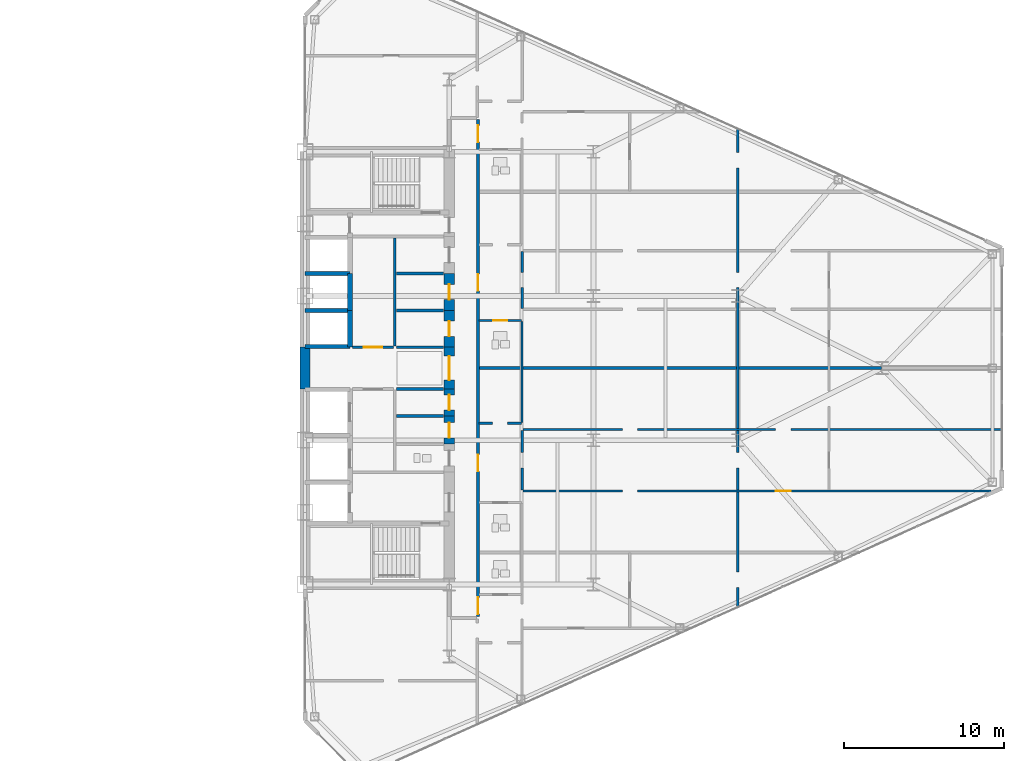
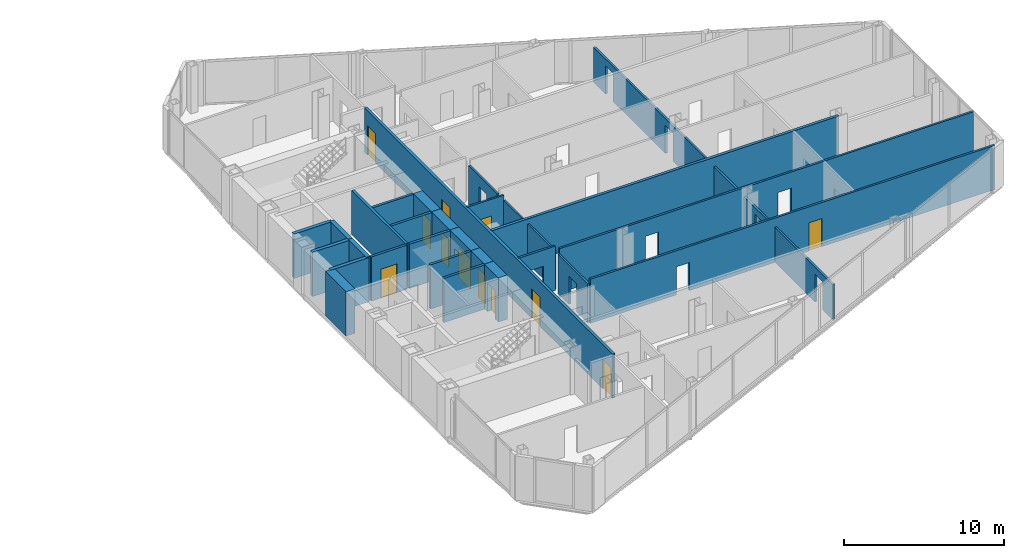
# One storey, part 23 of 27: 28 walls, 12 doors, 22 openings.
"""IFC4 building model written with IfcOpenShell, lengths in metres."""

from ifc_helpers import new_model, si_unit, direction, frame, frame_2d, origin, place, context, subcontext, project, spatial, rectangle, extrude, source, transform, mapped, material, layer, layer_set, type_object, type_shapes, element, fill, save


model = new_model("IFC4")

# Units and contexts
model_context = context("Model", 3, precision=1e-05, world=origin(), true_north=direction((0.0, 1.0)))
body_context = subcontext(model_context, "Body", "Model", "MODEL_VIEW")
ifc_project = project(units=[si_unit("LENGTHUNIT", "METRE"), si_unit("AREAUNIT", "SQUARE_METRE"), si_unit("VOLUMEUNIT", "CUBIC_METRE"), si_unit("PLANEANGLEUNIT", "RADIAN"), si_unit("MASSUNIT", "GRAM", prefix="KILO")], contexts=[model_context])

# Site, building, storey
site_placement = place(None, origin())
site = spatial("IfcSite", under=ifc_project, at=site_placement, CompositionType="ELEMENT")
building_placement = place(site_placement, origin())
building = spatial("IfcBuilding", under=site, at=building_placement, Name="Seokmaru Belvedere", CompositionType="ELEMENT")
storey_placement = place(building_placement, frame((0.0, 0.0, 80.10009765625)))
storey = spatial("IfcBuildingStorey", under=building, at=storey_placement, Name="L21", CompositionType="ELEMENT", Elevation=80.10009765625)

# Wall, openings, door
ifc_material_1 = material(Name="Fire-Rated Gypsum Shaftwall")
ifc_layer_1 = layer(ifc_material_1, 0.14990234375)
ifc_layer_set_1 = layer_set([ifc_layer_1], Name="Fire-Rated Gypsum Shaftwall")
wall_type_1 = type_object("IfcWallType", Name="Apartment Fire-Acoustic Room Partition 150", PredefinedType="PARTITIONING", material=ifc_layer_set_1)
wall_1_placement = place(storey_placement, frame((41.10009765625, -7.669921875, 0.0), z_axis=(0.0, 0.0, 1.0), x_axis=(1.0, 0.0, 0.0)))
wall_1 = element("IfcWall", 1, at=wall_1_placement, inside=storey, type_object=wall_type_1, Name="L21 Interior Partition 010", PredefinedType="PARTITIONING", context=body_context, shape_type="SweptSolid", body=[
    extrude(rectangle(XDim=29.217529296875, YDim=0.14990234375, at=frame_2d((14.60888671875, 0.0))), origin(), (0.0, 0.0, 1.0), 3.3798828125),
])
opening_1_placement = place(wall_1_placement, frame((6.199951171875, 0.0, 0.0)))
element("IfcOpeningElement", 2, at=opening_1_placement, cuts=wall_1, Name="L21 Cased Opening 040", PredefinedType="OPENING", context=body_context, shape_type="SweptSolid", body=[
    extrude(rectangle(XDim=0.949951171875, YDim=2.14990234375, at=frame_2d((0.47509765625, 1.074951171875))), frame((0.0, 0.0849609375, 0.0), z_axis=(0.0, -1.0, 0.0), x_axis=(1.0, 0.0, 0.0)), (0.0, 0.0, 1.0), 0.169921875),
])
opening_2_placement = place(wall_1_placement, frame((15.77490234375, 0.0, 0.0)))
opening_2 = element("IfcOpeningElement", 3, at=opening_2_placement, cuts=wall_1, Name="Opening D05", PredefinedType="OPENING", context=body_context, shape_type="SweptSolid", body=[
    extrude(rectangle(XDim=0.949951171875, YDim=2.14990234375, at=frame_2d((0.47509765625, 1.074951171875))), frame((0.0, 0.0849609375, 0.0), z_axis=(0.0, -1.0, 0.0), x_axis=(1.0, 0.0, 0.0)), (0.0, 0.0, 1.0), 0.169921875),
])
ifc_material_2 = material(Name="Engineered White Oak Timber", Category="wood")
door_type_1 = type_object("IfcDoorType", Name="Apartment Interior Fire-Rated Oak Door 950x2150", OperationType="NOTDEFINED", PredefinedType="DOOR", material=ifc_material_2)
shared_shape_1 = source(origin(), body_context, "Body", "SweptSolid", [
    extrude(rectangle(XDim=0.949951171875, YDim=2.14990234375, at=frame_2d((0.47509765625, 1.074951171875))), frame((0.0, 0.02490234375, 0.0), z_axis=(0.0, -1.0, 0.0), x_axis=(1.0, 0.0, 0.0)), (0.0, 0.0, 1.0), 0.050048828125),
])
type_shapes(door_type_1, [shared_shape_1])
door_1_placement = place(opening_2_placement, origin())
door_1 = element("IfcDoor", 4, at=door_1_placement, inside=storey, type_object=door_type_1, Name="L21 Interior Door 042", OperationType="SINGLE_SWING_RIGHT", OverallHeight=2.14990234375, OverallWidth=0.949951171875, PredefinedType="DOOR", context=body_context, shape_type="MappedRepresentation", body=[
    mapped(shared_shape_1, transform((0.0, 0.0, 0.0), scale=1.0)),
])
fill(opening_2, door_1)

# Wall, openings
wall_2_placement = place(storey_placement, frame((41.10009765625, -3.830078125, 0.0), z_axis=(0.0, 0.0, 1.0), x_axis=(1.0, 0.0, 0.0)))
wall_2 = element("IfcWall", 5, at=wall_2_placement, inside=storey, type_object=wall_type_1, Name="L21 Interior Partition 013", PredefinedType="PARTITIONING", context=body_context, shape_type="SweptSolid", body=[
    extrude(rectangle(XDim=29.934814453125, YDim=0.14990234375, at=frame_2d((14.96728515625, 0.0))), origin(), (0.0, 0.0, 1.0), 3.3798828125),
])
opening_3_placement = place(wall_2_placement, frame((6.199951171875, 0.0, 0.0)))
element("IfcOpeningElement", 6, at=opening_3_placement, cuts=wall_2, Name="L21 Cased Opening 041", PredefinedType="OPENING", context=body_context, shape_type="SweptSolid", body=[
    extrude(rectangle(XDim=0.949951171875, YDim=2.14990234375, at=frame_2d((0.47509765625, 1.074951171875))), frame((0.0, 0.0849609375, 0.0), z_axis=(0.0, -1.0, 0.0), x_axis=(1.0, 0.0, 0.0)), (0.0, 0.0, 1.0), 0.169921875),
])
opening_4_placement = place(wall_2_placement, frame((15.77490234375, 0.0, 0.0)))
element("IfcOpeningElement", 7, at=opening_4_placement, cuts=wall_2, Name="L21 Cased Opening 044", PredefinedType="OPENING", context=body_context, shape_type="SweptSolid", body=[
    extrude(rectangle(XDim=0.949951171875, YDim=2.14990234375, at=frame_2d((0.47509765625, 1.074951171875))), frame((0.0, 0.0849609375, 0.0), z_axis=(0.0, -1.0, 0.0), x_axis=(1.0, 0.0, 0.0)), (0.0, 0.0, 1.0), 0.169921875),
])

# Wall, opening
wall_3_placement = place(storey_placement, frame((38.35009765625, -3.449951171875, 0.0), z_axis=(0.0, 0.0, 1.0), x_axis=(1.0, 0.0, 0.0)))
wall_3 = element("IfcWall", 8, at=wall_3_placement, inside=storey, type_object=wall_type_1, Name="L21 Interior Partition 014", PredefinedType="PARTITIONING", context=body_context, shape_type="SweptSolid", body=[
    extrude(rectangle(XDim=2.64990234375, YDim=0.14990234375, at=frame_2d((1.324951171875, 0.0))), origin(), (0.0, 0.0, 1.0), 3.3798828125),
])
opening_5_placement = place(wall_3_placement, frame((0.85009765625, 0.0, 0.0)))
element("IfcOpeningElement", 9, at=opening_5_placement, cuts=wall_3, Name="L21 Cased Opening 037", PredefinedType="OPENING", context=body_context, shape_type="SweptSolid", body=[
    extrude(rectangle(XDim=0.949951171875, YDim=2.14990234375, at=frame_2d((0.47509765625, 1.074951171875))), frame((0.0, 0.0849609375, 0.0), z_axis=(0.0, -1.0, 0.0), x_axis=(1.0, 0.0, 0.0)), (0.0, 0.0, 1.0), 0.169921875),
])

wall_4_placement = place(storey_placement, frame((41.050048828125, -7.616943359375, 0.0), z_axis=(0.0, 0.0, 1.0), x_axis=(0.0, 1.0, 0.0)))
wall_4 = element("IfcWall", 10, at=wall_4_placement, inside=storey, type_object=wall_type_1, Name="L21 Interior Partition 051", PredefinedType="PARTITIONING", context=body_context, shape_type="SweptSolid", body=[
    extrude(rectangle(XDim=3.73388671875, YDim=0.14990234375, at=frame_2d((1.866943359375, 0.0))), origin(), (0.0, 0.0, 1.0), 2.989990234375),
])
opening_6_placement = place(wall_4_placement, frame((1.39208984375, 0.0, 0.0)))
element("IfcOpeningElement", 11, at=opening_6_placement, cuts=wall_4, Name="L21 Cased Opening 038", PredefinedType="OPENING", context=body_context, shape_type="SweptSolid", body=[
    extrude(rectangle(XDim=0.949951171875, YDim=2.14990234375, at=frame_2d((0.47509765625, 1.074951171875))), frame((0.0, 0.0849609375, 0.0), z_axis=(0.0, -1.0, 0.0), x_axis=(1.0, 0.0, 0.0)), (0.0, 0.0, 1.0), 0.169921875),
])

wall_5_placement = place(storey_placement, frame((41.050048828125, 3.717041015625, 0.0), z_axis=(0.0, 0.0, 1.0), x_axis=(0.0, 1.0, 0.0)))
wall_5 = element("IfcWall", 12, at=wall_5_placement, inside=storey, type_object=wall_type_1, Name="L21 Interior Partition 053", PredefinedType="PARTITIONING", context=body_context, shape_type="SweptSolid", body=[
    extrude(rectangle(XDim=3.56591796875, YDim=0.14990234375, at=frame_2d((1.782958984375, 0.0))), origin(), (0.0, 0.0, 1.0), 2.989990234375),
])
opening_7_placement = place(wall_5_placement, frame((1.30810546875, 0.0, 0.0)))
element("IfcOpeningElement", 13, at=opening_7_placement, cuts=wall_5, Name="L21 Cased Opening 049", PredefinedType="OPENING", context=body_context, shape_type="SweptSolid", body=[
    extrude(rectangle(XDim=0.949951171875, YDim=2.14990234375, at=frame_2d((0.47509765625, 1.074951171875))), frame((0.0, 0.0849609375, 0.0), z_axis=(0.0, -1.0, 0.0), x_axis=(1.0, 0.0, 0.0)), (0.0, 0.0, 1.0), 0.169921875),
])

# Wall, openings
wall_6_placement = place(storey_placement, frame((54.5, -14.9599609375, 0.0), z_axis=(0.0, 0.0, 1.0), x_axis=(0.0, 1.0, 0.0)))
wall_6 = element("IfcWall", 14, at=wall_6_placement, inside=storey, type_object=wall_type_1, Name="L21 Interior Partition 058", PredefinedType="PARTITIONING", context=body_context, shape_type="SweptSolid", body=[
    extrude(rectangle(XDim=29.919921875, YDim=0.14990234375, at=frame_2d((14.9599609375, 0.0))), origin(), (0.0, 0.0, 1.0), 2.679931640625),
])
opening_8_placement = place(wall_6_placement, frame((1.2724609375, 0.0, 0.0)))
element("IfcOpeningElement", 15, at=opening_8_placement, cuts=wall_6, Name="L21 Cased Opening 034", PredefinedType="OPENING", context=body_context, shape_type="SweptSolid", body=[
    extrude(rectangle(XDim=0.949951171875, YDim=2.14990234375, at=frame_2d((0.47509765625, 1.074951171875))), frame((0.0, 0.0849609375, 0.0), z_axis=(0.0, -1.0, 0.0), x_axis=(1.0, 0.0, 0.0)), (0.0, 0.0, 1.0), 0.169921875),
])
opening_9_placement = place(wall_6_placement, frame((8.735107421875, 0.0, 0.0)))
element("IfcOpeningElement", 16, at=opening_9_placement, cuts=wall_6, Name="L21 Cased Opening 039", PredefinedType="OPENING", context=body_context, shape_type="SweptSolid", body=[
    extrude(rectangle(XDim=0.949951171875, YDim=2.14990234375, at=frame_2d((0.47509765625, 1.074951171875))), frame((0.0, 0.0849609375, 0.0), z_axis=(0.0, -1.0, 0.0), x_axis=(1.0, 0.0, 0.0)), (0.0, 0.0, 1.0), 0.169921875),
])
opening_10_placement = place(wall_6_placement, frame((19.985107421875, 0.0, 0.0)))
element("IfcOpeningElement", 17, at=opening_10_placement, cuts=wall_6, Name="L21 Cased Opening 050", PredefinedType="OPENING", context=body_context, shape_type="SweptSolid", body=[
    extrude(rectangle(XDim=0.949951171875, YDim=2.14990234375, at=frame_2d((0.47509765625, 1.074951171875))), frame((0.0, 0.0849609375, 0.0), z_axis=(0.0, -1.0, 0.0), x_axis=(1.0, 0.0, 0.0)), (0.0, 0.0, 1.0), 0.169921875),
])
opening_11_placement = place(wall_6_placement, frame((27.447509765625, 0.0, 0.0)))
element("IfcOpeningElement", 18, at=opening_11_placement, cuts=wall_6, Name="L21 Cased Opening 065", PredefinedType="OPENING", context=body_context, shape_type="SweptSolid", body=[
    extrude(rectangle(XDim=0.949951171875, YDim=2.14990234375, at=frame_2d((0.47509765625, 1.074951171875))), frame((0.0, 0.0849609375, 0.0), z_axis=(0.0, -1.0, 0.0), x_axis=(1.0, 0.0, 0.0)), (0.0, 0.0, 1.0), 0.169921875),
])

# Wall
ifc_layer_2 = layer(ifc_material_1, 0.179931640625)
ifc_layer_set_2 = layer_set([ifc_layer_2], Name="Fire-Rated Gypsum Shaftwall")
wall_type_2 = type_object("IfcWallType", Name="Core Service Fire Partition 180", PredefinedType="PARTITIONING", material=ifc_layer_set_2)
wall_7_placement = place(storey_placement, frame((33.10009765625, 1.3798828125, 0.0), z_axis=(0.0, 0.0, 1.0), x_axis=(0.0, 1.0, 0.0)))
element("IfcWall", 19, at=wall_7_placement, inside=storey, type_object=wall_type_2, Name="L21 East North Core Service Back Wall", PredefinedType="PARTITIONING", context=body_context, shape_type="SweptSolid", body=[
    extrude(rectangle(XDim=6.740234375, YDim=0.179931640625, at=frame_2d((3.3701171875, 0.0))), origin(), (0.0, 0.0, 1.0), 3.3798828125),
])

# Wall, opening, door
wall_8_placement = place(storey_placement, frame((30.449951171875, 1.300048828125, 0.0), z_axis=(0.0, 0.0, 1.0), x_axis=(1.0, 0.0, 0.0)))
wall_8 = element("IfcWall", 20, at=wall_8_placement, inside=storey, type_object=wall_type_2, Name="L21 East North Lift Lobby Foyer Wall", PredefinedType="PARTITIONING", context=body_context, shape_type="SweptSolid", body=[
    extrude(rectangle(XDim=2.570068359375, YDim=0.179931640625, at=frame_2d((1.28515625, 0.0))), origin(), (0.0, 0.0, 1.0), 3.3798828125),
])
opening_12_placement = place(wall_8_placement, frame((0.7099609375, 0.0, 0.0)))
opening_12 = element("IfcOpeningElement", 21, at=opening_12_placement, cuts=wall_8, Name="Opening D02", PredefinedType="OPENING", context=body_context, shape_type="SweptSolid", body=[
    extrude(rectangle(XDim=1.14990234375, YDim=2.199951171875, at=frame_2d((0.574951171875, 1.10009765625))), frame((0.0, 0.10009765625, 0.0), z_axis=(0.0, -1.0, 0.0), x_axis=(1.0, 0.0, 0.0)), (0.0, 0.0, 1.0), 0.199951171875),
])
ifc_material_3 = material(Name="Fire-Rated Steel Leaf", Category="steel")
door_type_2 = type_object("IfcDoorType", Name="Lobby and Vestibule Fire Door 1150x2200", OperationType="NOTDEFINED", PredefinedType="DOOR", material=ifc_material_3)
shared_shape_2 = source(origin(), body_context, "Body", "SweptSolid", [
    extrude(rectangle(XDim=1.14990234375, YDim=2.199951171875, at=frame_2d((0.574951171875, 1.10009765625))), frame((0.0, 0.02490234375, 0.0), z_axis=(0.0, -1.0, 0.0), x_axis=(1.0, 0.0, 0.0)), (0.0, 0.0, 1.0), 0.050048828125),
])
type_shapes(door_type_2, [shared_shape_2])
door_2_placement = place(opening_12_placement, origin())
door_2 = element("IfcDoor", 22, at=door_2_placement, inside=storey, type_object=door_type_2, Name="L21 East North Lift Lobby Door", OperationType="SINGLE_SWING_LEFT", OverallHeight=2.199951171875, OverallWidth=1.14990234375, PredefinedType="DOOR", context=body_context, shape_type="MappedRepresentation", body=[
    mapped(shared_shape_2, transform((0.0, 0.0, 0.0), scale=1.0)),
])
fill(opening_12, door_2)

# Walls
for number, where, z_axis, x_axis, name in (
    (23, (33.199951171875, -1.300048828125, 0.0), (0.0, 0.0, 1.0), (1.0, 0.0, 0.0), "L21 East Foyer Side Wall S"),
    (24, (33.199951171875, 1.300048828125, 0.0), (0.0, 0.0, 1.0), (1.0, 0.0, 0.0), "L21 East Foyer Side Wall N"),
    (25, (33.199951171875, -3.0, 0.0), (0.0, 0.0, 1.0), (1.0, 0.0, 0.0), "L21 East Core Service Partition 2"),
    (26, (33.199951171875, 3.60009765625, 0.0), (0.0, 0.0, 1.0), (1.0, 0.0, 0.0), "L21 East Core Service Partition 3"),
    (27, (33.199951171875, 5.89990234375, 0.0), (0.0, 0.0, 1.0), (1.0, 0.0, 0.0), "L21 East Core Service Partition 4"),
):
    element("IfcWall", number, at=place(storey_placement, frame(where, z_axis=z_axis, x_axis=x_axis)), inside=storey, type_object=wall_type_2, Name=name, PredefinedType="PARTITIONING", context=body_context, shape_type="SweptSolid", body=[
        extrude(rectangle(XDim=2.949951171875, YDim=0.179931640625, at=frame_2d((1.47509765625, 0.0))), origin(), (0.0, 0.0, 1.0), 3.3798828125),
    ])
ifc_material_4 = material(Name="Concrete C50 (50 MPa)", Category="concrete")
ifc_layer_3 = layer(ifc_material_4, 0.25)
ifc_layer_set_3 = layer_set([ifc_layer_3], Name="Concrete C50 (50 MPa)")
wall_type_3 = type_object("IfcWallType", Name="Hoistway Transverse Concrete Divider Wall 250", PredefinedType="SHEAR", material=ifc_layer_set_3)
for number, where, z_axis, x_axis, name in (
    (28, (27.5, 1.35009765625, 0.0), (0.0, 0.0, 1.0), (1.0, 0.0, 0.0), "L21 East Hoistway Divider Core Wall 4"),
    (29, (27.5, 3.60009765625, 0.0), (0.0, 0.0, 1.0), (1.0, 0.0, 0.0), "L21 East Hoistway Divider Core Wall 5"),
    (30, (27.5, 5.89990234375, 0.0), (0.0, 0.0, 1.0), (1.0, 0.0, 0.0), "L21 East Hoistway Divider Core Wall 6"),
):
    element("IfcWall", number, at=place(storey_placement, frame(where, z_axis=z_axis, x_axis=x_axis)), inside=storey, type_object=wall_type_3, Name=name, PredefinedType="SHEAR", context=body_context, shape_type="SweptSolid", body=[
        extrude(rectangle(XDim=2.800048828125, YDim=0.25, at=frame_2d((1.39990234375, 0.0))), origin(), (0.0, 0.0, 1.0), 3.3798828125),
    ])
ifc_layer_4 = layer(ifc_material_1, 0.199951171875)
ifc_layer_set_4 = layer_set([ifc_layer_4], Name="Fire-Rated Gypsum Shaftwall")
wall_type_4 = type_object("IfcWallType", Name="Inter-Tenancy Fire Compartment Partition 200", PredefinedType="PARTITIONING", material=ifc_layer_set_4)
wall_9_placement = place(storey_placement, frame((38.3798828125, 0.0, 0.0), z_axis=(0.0, 0.0, 1.0), x_axis=(1.0, 0.0, 0.0)))
element("IfcWall", 31, at=wall_9_placement, inside=storey, type_object=wall_type_4, Name="L21 Interior Partition 016", PredefinedType="PARTITIONING", context=body_context, shape_type="SweptSolid", body=[
    extrude(rectangle(XDim=25.10009765625, YDim=0.199951171875, at=frame_2d((12.550048828125, 0.0))), origin(), (0.0, 0.0, 1.0), 3.3798828125),
])

# Wall, openings, doors
wall_10_placement = place(storey_placement, frame((38.300048828125, -15.514892578125, 0.0), z_axis=(0.0, 0.0, 1.0), x_axis=(0.0, 1.0, 0.0)))
wall_10 = element("IfcWall", 32, at=wall_10_placement, inside=storey, type_object=wall_type_4, Name="L21 Interior Partition 049", PredefinedType="PARTITIONING", context=body_context, shape_type="SweptSolid", body=[
    extrude(rectangle(XDim=31.02978515625, YDim=0.199951171875, at=frame_2d((15.514892578125, 0.0))), origin(), (0.0, 0.0, 1.0), 3.3798828125),
])
opening_13_placement = place(wall_10_placement, frame((0.159912109375, 0.0, 0.0)))
opening_13 = element("IfcOpeningElement", 33, at=opening_13_placement, cuts=wall_10, Name="Opening D03", PredefinedType="OPENING", context=body_context, shape_type="SweptSolid", body=[
    extrude(rectangle(XDim=1.050048828125, YDim=2.25, at=frame_2d((0.52490234375, 1.125))), frame((0.0, 0.10986328125, 0.0), z_axis=(0.0, -1.0, 0.0), x_axis=(1.0, 0.0, 0.0)), (0.0, 0.0, 1.0), 0.219970703125),
])
opening_14_placement = place(wall_10_placement, frame((9.0673828125, 0.0, 0.0)))
opening_14 = element("IfcOpeningElement", 34, at=opening_14_placement, cuts=wall_10, Name="Opening D03", PredefinedType="OPENING", context=body_context, shape_type="SweptSolid", body=[
    extrude(rectangle(XDim=1.050048828125, YDim=2.25, at=frame_2d((0.52490234375, 1.125))), frame((0.0, 0.10986328125, 0.0), z_axis=(0.0, -1.0, 0.0), x_axis=(1.0, 0.0, 0.0)), (0.0, 0.0, 1.0), 0.219970703125),
])
opening_15_placement = place(wall_10_placement, frame((20.324951171875, 0.0, 0.0)))
opening_15 = element("IfcOpeningElement", 35, at=opening_15_placement, cuts=wall_10, Name="Opening D03", PredefinedType="OPENING", context=body_context, shape_type="SweptSolid", body=[
    extrude(rectangle(XDim=1.050048828125, YDim=2.25, at=frame_2d((0.52490234375, 1.125))), frame((0.0, 0.10986328125, 0.0), z_axis=(0.0, -1.0, 0.0), x_axis=(1.0, 0.0, 0.0)), (0.0, 0.0, 1.0), 0.219970703125),
])
opening_16_placement = place(wall_10_placement, frame((29.612548828125, 0.0, 0.0)))
opening_16 = element("IfcOpeningElement", 36, at=opening_16_placement, cuts=wall_10, Name="Opening D03", PredefinedType="OPENING", context=body_context, shape_type="SweptSolid", body=[
    extrude(rectangle(XDim=1.050048828125, YDim=2.25, at=frame_2d((0.52490234375, 1.125))), frame((0.0, 0.10986328125, 0.0), z_axis=(0.0, -1.0, 0.0), x_axis=(1.0, 0.0, 0.0)), (0.0, 0.0, 1.0), 0.219970703125),
])
door_type_3 = type_object("IfcDoorType", Name="Apartment Entrance Fire Door 1050x2250", OperationType="NOTDEFINED", PredefinedType="DOOR", material=ifc_material_3)
shared_shape_3 = source(origin(), body_context, "Body", "SweptSolid", [
    extrude(rectangle(XDim=1.050048828125, YDim=2.25, at=frame_2d((0.52490234375, 1.125))), frame((0.0, 0.02490234375, 0.0), z_axis=(0.0, -1.0, 0.0), x_axis=(1.0, 0.0, 0.0)), (0.0, 0.0, 1.0), 0.050048828125),
])
type_shapes(door_type_3, [shared_shape_3])
door_3_placement = place(opening_13_placement, origin())
door_3 = element("IfcDoor", 37, at=door_3_placement, inside=storey, type_object=door_type_3, Name="L21 Interior Door 026", OperationType="SINGLE_SWING_LEFT", OverallHeight=2.25, OverallWidth=1.050048828125, PredefinedType="DOOR", context=body_context, shape_type="MappedRepresentation", body=[
    mapped(shared_shape_3, transform((0.0, 0.0, 0.0), scale=1.0)),
])
fill(opening_13, door_3)
door_4_placement = place(opening_14_placement, origin())
door_4 = element("IfcDoor", 38, at=door_4_placement, inside=storey, type_object=door_type_3, Name="L21 Interior Door 035", OperationType="SINGLE_SWING_RIGHT", OverallHeight=2.25, OverallWidth=1.050048828125, PredefinedType="DOOR", context=body_context, shape_type="MappedRepresentation", body=[
    mapped(shared_shape_3, transform((0.0, 0.0, 0.0), scale=1.0)),
])
fill(opening_14, door_4)
door_5_placement = place(opening_15_placement, origin())
door_5 = element("IfcDoor", 39, at=door_5_placement, inside=storey, type_object=door_type_3, Name="L21 Interior Door 046", OperationType="SINGLE_SWING_LEFT", OverallHeight=2.25, OverallWidth=1.050048828125, PredefinedType="DOOR", context=body_context, shape_type="MappedRepresentation", body=[
    mapped(shared_shape_3, transform((0.0, 0.0, 0.0), scale=1.0)),
])
fill(opening_15, door_5)
door_6_placement = place(opening_16_placement, origin())
door_6 = element("IfcDoor", 40, at=door_6_placement, inside=storey, type_object=door_type_3, Name="L21 Interior Door 057", OperationType="SINGLE_SWING_RIGHT", OverallHeight=2.25, OverallWidth=1.050048828125, PredefinedType="DOOR", context=body_context, shape_type="MappedRepresentation", body=[
    mapped(shared_shape_3, transform((0.0, 0.0, 0.0), scale=1.0)),
])
fill(opening_16, door_6)

# Walls
ifc_layer_5 = layer(ifc_material_4, 0.300048828125)
ifc_layer_set_5 = layer_set([ifc_layer_5], Name="Concrete C50 (50 MPa)")
wall_type_5 = type_object("IfcWallType", Name="Internal Core Stair and Hoistway Wall 300", PredefinedType="SHEAR", material=ifc_layer_set_5)
wall_11_placement = place(storey_placement, frame((30.300048828125, 1.320068359375, 0.0), z_axis=(0.0, 0.0, 1.0), x_axis=(0.0, 1.0, 0.0)))
element("IfcWall", 41, at=wall_11_placement, inside=storey, type_object=wall_type_5, Name="L21 East North Hoistway Wall PH1", PredefinedType="SHEAR", context=body_context, shape_type="SweptSolid", body=[
    extrude(rectangle(XDim=2.280029296875, YDim=0.300048828125, at=frame_2d((1.14013671875, 0.0))), origin(), (0.0, 0.0, 1.0), 3.3798828125),
])
wall_12_placement = place(storey_placement, frame((30.300048828125, 3.60009765625, 0.0), z_axis=(0.0, 0.0, 1.0), x_axis=(0.0, 1.0, 0.0)))
element("IfcWall", 42, at=wall_12_placement, inside=storey, type_object=wall_type_5, Name="L21 East North Hoistway Wall PH2", PredefinedType="SHEAR", context=body_context, shape_type="SweptSolid", body=[
    extrude(rectangle(XDim=2.2998046875, YDim=0.300048828125, at=frame_2d((1.14990234375, 0.0))), origin(), (0.0, 0.0, 1.0), 3.3798828125),
])
ifc_material_5 = material(Name="Concrete C60 (60 MPa)", Category="concrete")
ifc_layer_6 = layer(ifc_material_5, 0.64990234375)
ifc_layer_set_6 = layer_set([ifc_layer_6], Name="Concrete C60 (60 MPa)")
wall_type_6 = type_object("IfcWallType", Name="Mid-Low Reinforced Concrete Core Wall 650", PredefinedType="SHEAR", material=ifc_layer_set_6)
wall_13_placement = place(storey_placement, frame((27.5, -1.300048828125, 0.0), z_axis=(0.0, 0.0, 1.0), x_axis=(0.0, 1.0, 0.0)))
element("IfcWall", 43, at=wall_13_placement, inside=storey, type_object=wall_type_6, Name="L21 East Portal Spine Core Wall Center", PredefinedType="SHEAR", context=body_context, shape_type="SweptSolid", body=[
    extrude(rectangle(XDim=2.60009765625, YDim=0.64990234375, at=frame_2d((1.300048828125, 0.0))), origin(), (0.0, 0.0, 1.0), 3.3798828125),
])

# Wall, opening, door
wall_14_placement = place(storey_placement, frame((36.5, -1.300048828125, 0.0), z_axis=(0.0, 0.0, 1.0), x_axis=(0.0, 1.0, 0.0)))
wall_14 = element("IfcWall", 44, at=wall_14_placement, inside=storey, type_object=wall_type_6, Name="L21 East West Core Wall FOY", PredefinedType="SHEAR", context=body_context, shape_type="SweptSolid", body=[
    extrude(rectangle(XDim=2.60009765625, YDim=0.64990234375, at=frame_2d((1.300048828125, 0.0))), origin(), (0.0, 0.0, 1.0), 3.3798828125),
])
opening_17_placement = place(wall_14_placement, frame((0.550048828125, 0.0, 0.0)))
opening_17 = element("IfcOpeningElement", 45, at=opening_17_placement, cuts=wall_14, Name="Opening D08", PredefinedType="OPENING", context=body_context, shape_type="SweptSolid", body=[
    extrude(rectangle(XDim=1.5, YDim=2.300048828125, at=frame_2d((0.75, 1.14990234375))), frame((0.0, 0.3349609375, 0.0), z_axis=(0.0, -1.0, 0.0), x_axis=(1.0, 0.0, 0.0)), (0.0, 0.0, 1.0), 0.669921875),
])
door_type_4 = type_object("IfcDoorType", Name="Cross-Corridor Compartment Double Fire Door 1500x2300", OperationType="DOUBLE_SWING_LEFT", PredefinedType="DOOR", material=ifc_material_3)
shared_shape_4 = source(origin(), body_context, "Body", "SweptSolid", [
    extrude(rectangle(XDim=1.5, YDim=2.300048828125, at=frame_2d((0.75, 1.14990234375))), frame((0.0, 0.02490234375, 0.0), z_axis=(0.0, -1.0, 0.0), x_axis=(1.0, 0.0, 0.0)), (0.0, 0.0, 1.0), 0.050048828125),
])
type_shapes(door_type_4, [shared_shape_4])
door_7_placement = place(opening_17_placement, origin())
door_7 = element("IfcDoor", 46, at=door_7_placement, inside=storey, type_object=door_type_4, Name="L21 East Core Foyer Compartment Door", OperationType="DOUBLE_SWING_LEFT", OverallHeight=2.300048828125, OverallWidth=1.5, PredefinedType="DOOR", context=body_context, shape_type="MappedRepresentation", body=[
    mapped(shared_shape_4, transform((0.0, 0.0, 0.0), scale=1.0)),
])
fill(opening_17, door_7)

wall_15_placement = place(storey_placement, frame((36.5, -4.75, 0.0), z_axis=(0.0, 0.0, 1.0), x_axis=(0.0, 1.0, 0.0)))
wall_15 = element("IfcWall", 47, at=wall_15_placement, inside=storey, type_object=wall_type_6, Name="L21 East West Core Wall CS2", PredefinedType="SHEAR", context=body_context, shape_type="SweptSolid", body=[
    extrude(rectangle(XDim=1.75, YDim=0.64990234375, at=frame_2d((0.875, 0.0))), origin(), (0.0, 0.0, 1.0), 3.3798828125),
])
opening_18_placement = place(wall_15_placement, frame((0.39990234375, 0.0, 0.0)))
opening_18 = element("IfcOpeningElement", 48, at=opening_18_placement, cuts=wall_15, Name="Opening D04", PredefinedType="OPENING", context=body_context, shape_type="SweptSolid", body=[
    extrude(rectangle(XDim=0.949951171875, YDim=2.14990234375, at=frame_2d((0.47509765625, 1.074951171875))), frame((0.0, 0.3349609375, 0.0), z_axis=(0.0, -1.0, 0.0), x_axis=(1.0, 0.0, 0.0)), (0.0, 0.0, 1.0), 0.669921875),
])
door_type_5 = type_object("IfcDoorType", Name="Core Service Room Fire Door 950x2150", OperationType="NOTDEFINED", PredefinedType="DOOR", material=ifc_material_3)
shared_shape_5 = source(origin(), body_context, "Body", "SweptSolid", [
    extrude(rectangle(XDim=0.949951171875, YDim=2.14990234375, at=frame_2d((0.47509765625, 1.074951171875))), frame((0.0, 0.02490234375, 0.0), z_axis=(0.0, -1.0, 0.0), x_axis=(1.0, 0.0, 0.0)), (0.0, 0.0, 1.0), 0.050048828125),
])
type_shapes(door_type_5, [shared_shape_5])
door_8_placement = place(opening_18_placement, origin())
door_8 = element("IfcDoor", 49, at=door_8_placement, inside=storey, type_object=door_type_5, Name="L21 East Core Service Room Door 2", OperationType="SINGLE_SWING_LEFT", OverallHeight=2.14990234375, OverallWidth=0.949951171875, PredefinedType="DOOR", context=body_context, shape_type="MappedRepresentation", body=[
    mapped(shared_shape_5, transform((0.0, 0.0, 0.0), scale=1.0)),
])
fill(opening_18, door_8)

wall_16_placement = place(storey_placement, frame((36.5, -3.0, 0.0), z_axis=(0.0, 0.0, 1.0), x_axis=(0.0, 1.0, 0.0)))
wall_16 = element("IfcWall", 50, at=wall_16_placement, inside=storey, type_object=wall_type_6, Name="L21 East West Core Wall CS3", PredefinedType="SHEAR", context=body_context, shape_type="SweptSolid", body=[
    extrude(rectangle(XDim=1.699951171875, YDim=0.64990234375, at=frame_2d((0.85009765625, 0.0))), origin(), (0.0, 0.0, 1.0), 3.3798828125),
])
opening_19_placement = place(wall_16_placement, frame((0.375, 0.0, 0.0)))
opening_19 = element("IfcOpeningElement", 51, at=opening_19_placement, cuts=wall_16, Name="Opening D04", PredefinedType="OPENING", context=body_context, shape_type="SweptSolid", body=[
    extrude(rectangle(XDim=0.949951171875, YDim=2.14990234375, at=frame_2d((0.47509765625, 1.074951171875))), frame((0.0, 0.3349609375, 0.0), z_axis=(0.0, -1.0, 0.0), x_axis=(1.0, 0.0, 0.0)), (0.0, 0.0, 1.0), 0.669921875),
])
door_9_placement = place(opening_19_placement, origin())
door_9 = element("IfcDoor", 52, at=door_9_placement, inside=storey, type_object=door_type_5, Name="L21 East Core Service Room Door 3", OperationType="SINGLE_SWING_RIGHT", OverallHeight=2.14990234375, OverallWidth=0.949951171875, PredefinedType="DOOR", context=body_context, shape_type="MappedRepresentation", body=[
    mapped(shared_shape_5, transform((0.0, 0.0, 0.0), scale=1.0)),
])
fill(opening_19, door_9)

wall_17_placement = place(storey_placement, frame((36.5, 1.300048828125, 0.0), z_axis=(0.0, 0.0, 1.0), x_axis=(0.0, 1.0, 0.0)))
wall_17 = element("IfcWall", 53, at=wall_17_placement, inside=storey, type_object=wall_type_6, Name="L21 East West Core Wall CS4", PredefinedType="SHEAR", context=body_context, shape_type="SweptSolid", body=[
    extrude(rectangle(XDim=2.300048828125, YDim=0.64990234375, at=frame_2d((1.14990234375, 0.0))), origin(), (0.0, 0.0, 1.0), 3.3798828125),
])
opening_20_placement = place(wall_17_placement, frame((0.675048828125, 0.0, 0.0)))
opening_20 = element("IfcOpeningElement", 54, at=opening_20_placement, cuts=wall_17, Name="Opening D04", PredefinedType="OPENING", context=body_context, shape_type="SweptSolid", body=[
    extrude(rectangle(XDim=0.949951171875, YDim=2.14990234375, at=frame_2d((0.47509765625, 1.074951171875))), frame((0.0, 0.3349609375, 0.0), z_axis=(0.0, -1.0, 0.0), x_axis=(1.0, 0.0, 0.0)), (0.0, 0.0, 1.0), 0.669921875),
])
door_10_placement = place(opening_20_placement, origin())
door_10 = element("IfcDoor", 55, at=door_10_placement, inside=storey, type_object=door_type_5, Name="L21 East Core Service Room Door 4", OperationType="SINGLE_SWING_LEFT", OverallHeight=2.14990234375, OverallWidth=0.949951171875, PredefinedType="DOOR", context=body_context, shape_type="MappedRepresentation", body=[
    mapped(shared_shape_5, transform((0.0, 0.0, 0.0), scale=1.0)),
])
fill(opening_20, door_10)

wall_18_placement = place(storey_placement, frame((36.5, 3.60009765625, 0.0), z_axis=(0.0, 0.0, 1.0), x_axis=(0.0, 1.0, 0.0)))
wall_18 = element("IfcWall", 56, at=wall_18_placement, inside=storey, type_object=wall_type_6, Name="L21 East West Core Wall CS5", PredefinedType="SHEAR", context=body_context, shape_type="SweptSolid", body=[
    extrude(rectangle(XDim=2.2998046875, YDim=0.64990234375, at=frame_2d((1.14990234375, 0.0))), origin(), (0.0, 0.0, 1.0), 3.3798828125),
])
opening_21_placement = place(wall_18_placement, frame((0.675048828125, 0.0, 0.0)))
opening_21 = element("IfcOpeningElement", 57, at=opening_21_placement, cuts=wall_18, Name="Opening D04", PredefinedType="OPENING", context=body_context, shape_type="SweptSolid", body=[
    extrude(rectangle(XDim=0.949951171875, YDim=2.14990234375, at=frame_2d((0.47509765625, 1.074951171875))), frame((0.0, 0.3349609375, 0.0), z_axis=(0.0, -1.0, 0.0), x_axis=(1.0, 0.0, 0.0)), (0.0, 0.0, 1.0), 0.669921875),
])
door_11_placement = place(opening_21_placement, origin())
door_11 = element("IfcDoor", 58, at=door_11_placement, inside=storey, type_object=door_type_5, Name="L21 East Core Service Room Door 5", OperationType="SINGLE_SWING_RIGHT", OverallHeight=2.14990234375, OverallWidth=0.949951171875, PredefinedType="DOOR", context=body_context, shape_type="MappedRepresentation", body=[
    mapped(shared_shape_5, transform((0.0, 0.0, 0.0), scale=1.0)),
])
fill(opening_21, door_11)

ifc_layer_7 = layer(ifc_material_1, 0.1298828125)
ifc_layer_set_7 = layer_set([ifc_layer_7], Name="Fire-Rated Gypsum Shaftwall")
wall_type_7 = type_object("IfcWallType", Name="Moisture-Resistant Fire-Rated Bathroom Partition 130", PredefinedType="PARTITIONING", material=ifc_layer_set_7)
wall_19_placement = place(storey_placement, frame((38.35009765625, 2.969970703125, 0.0), z_axis=(0.0, 0.0, 1.0), x_axis=(1.0, 0.0, 0.0)))
wall_19 = element("IfcWall", 59, at=wall_19_placement, inside=storey, type_object=wall_type_7, Name="L21 Interior Partition 018", PredefinedType="PARTITIONING", context=body_context, shape_type="SweptSolid", body=[
    extrude(rectangle(XDim=2.64990234375, YDim=0.1298828125, at=frame_2d((1.324951171875, 0.0))), origin(), (0.0, 0.0, 1.0), 3.3798828125),
])
opening_22_placement = place(wall_19_placement, frame((0.885009765625, 0.0, 0.0)))
opening_22 = element("IfcOpeningElement", 60, at=opening_22_placement, cuts=wall_19, Name="Opening D06", PredefinedType="OPENING", context=body_context, shape_type="SweptSolid", body=[
    extrude(rectangle(XDim=0.8798828125, YDim=2.10009765625, at=frame_2d((0.43994140625, 1.050048828125))), frame((0.0, 0.074951171875, 0.0), z_axis=(0.0, -1.0, 0.0), x_axis=(1.0, 0.0, 0.0)), (0.0, 0.0, 1.0), 0.14990234375),
])
door_type_6 = type_object("IfcDoorType", Name="Bathroom and Restroom Fire-Rated Door 880x2100", OperationType="NOTDEFINED", PredefinedType="DOOR", material=ifc_material_2)
shared_shape_6 = source(origin(), body_context, "Body", "SweptSolid", [
    extrude(rectangle(XDim=0.8798828125, YDim=2.10009765625, at=frame_2d((0.43994140625, 1.050048828125))), frame((0.0, 0.02490234375, 0.0), z_axis=(0.0, -1.0, 0.0), x_axis=(1.0, 0.0, 0.0)), (0.0, 0.0, 1.0), 0.050048828125),
])
type_shapes(door_type_6, [shared_shape_6])
door_12_placement = place(opening_22_placement, origin())
door_12 = element("IfcDoor", 61, at=door_12_placement, inside=storey, type_object=door_type_6, Name="L21 Interior Door 047", OperationType="SINGLE_SWING_RIGHT", OverallHeight=2.10009765625, OverallWidth=0.8798828125, PredefinedType="DOOR", context=body_context, shape_type="MappedRepresentation", body=[
    mapped(shared_shape_6, transform((0.0, 0.0, 0.0), scale=1.0)),
])
fill(opening_22, door_12)

# Wall
wall_20_placement = place(storey_placement, frame((41.050048828125, -3.39794921875, 0.0), z_axis=(0.0, 0.0, 1.0), x_axis=(0.0, 1.0, 0.0)))
element("IfcWall", 62, at=wall_20_placement, inside=storey, type_object=wall_type_7, Name="L21 Interior Partition 052", PredefinedType="PARTITIONING", context=body_context, shape_type="SweptSolid", body=[
    extrude(rectangle(XDim=6.31591796875, YDim=0.1298828125, at=frame_2d((3.157958984375, 0.0))), origin(), (0.0, 0.0, 1.0), 2.989990234375),
])

save(model, "model.ifc")
